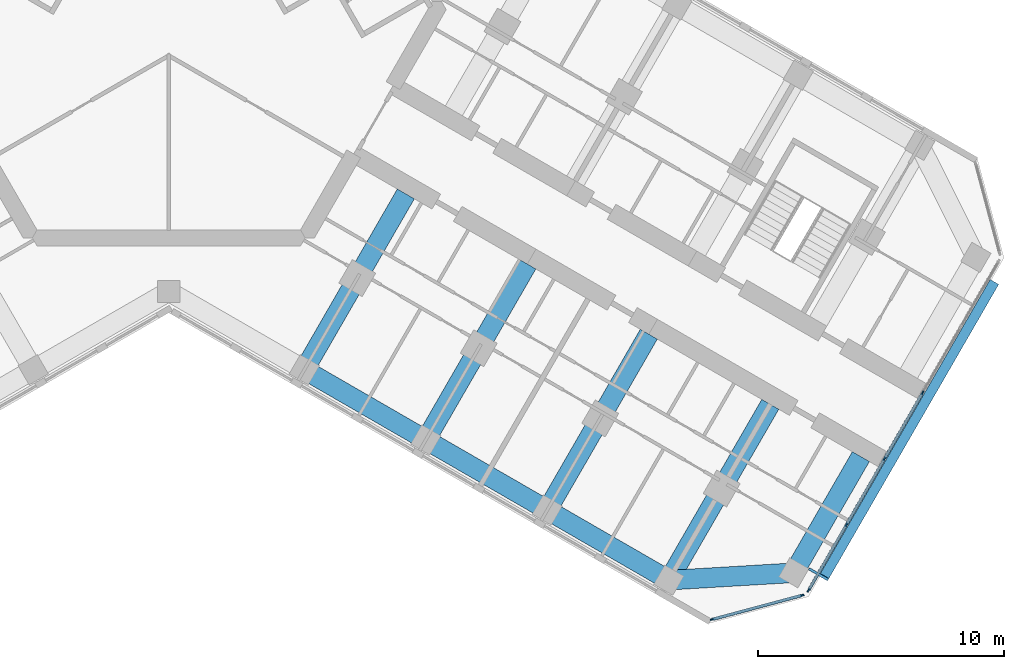
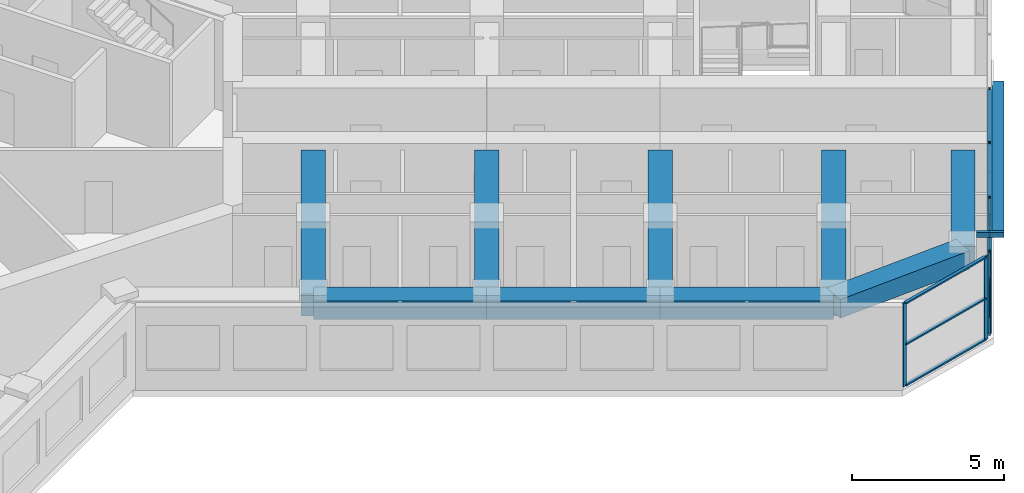
# One storey, part 4 of 16: 17 members, 9 beams, 2 elements without a shape of their own.
"""IFC4 building model written with IfcOpenShell, lengths in metres."""

from ifc_helpers import new_model, si_unit, direction, frame, origin, origin_2d, place, context, subcontext, project, spatial, rectangle, hollow_rectangle, extrude, material, material_profile, profile_set, type_object, element, aggregate, save


model = new_model("IFC4")

# Units and contexts
model_context = context("Model", 3, precision=1e-05, world=origin(), true_north=direction((0.0, 1.0)))
body_context = subcontext(model_context, "Body", "Model", "MODEL_VIEW")
ifc_project = project(units=[si_unit("LENGTHUNIT", "METRE"), si_unit("AREAUNIT", "SQUARE_METRE"), si_unit("VOLUMEUNIT", "CUBIC_METRE"), si_unit("PLANEANGLEUNIT", "RADIAN"), si_unit("MASSUNIT", "GRAM", prefix="KILO")], contexts=[model_context])

# Site, building, storey
site_placement = place(None, origin())
site = spatial("IfcSite", under=ifc_project, at=site_placement, CompositionType="ELEMENT")
building_placement = place(site_placement, origin())
building = spatial("IfcBuilding", under=site, at=building_placement, Name="Kosmar Iwan School Tower", CompositionType="ELEMENT")
storey_placement = place(building_placement, frame((0.0, 0.0, 211.800048828125)))
storey = spatial("IfcBuildingStorey", under=building, at=storey_placement, Name="L53", CompositionType="ELEMENT", Elevation=211.800048828125)

# Members
ifc_material_1 = material(Name="Black anodised aluminium", Category="aluminium")
ifc_material_profile_1 = material_profile(ifc_material_1, rectangle(XDim=0.10009765625, YDim=0.39990234375, at=origin_2d()), Name="FIN 100x400")
ifc_profile_set_1 = profile_set([ifc_material_profile_1], Name="Black anodised aluminium")
member_type_1 = type_object("IfcMemberType", Name="Diagonal fin 100x400", PredefinedType="USERDEFINED", material=ifc_profile_set_1)
member_1_placement = place(storey_placement, frame((33.54345703125, -11.40087890625, -0.150146484375), z_axis=(-0.483793446988, -0.837970316603, 0.25248692866), x_axis=(0.126241714543, 0.218661104574, 0.96760030532)))
element("IfcMember", 1, at=member_1_placement, inside=storey, type_object=member_type_1, Name="Diagonal fin L53-F01", ObjectType="FIN", PredefinedType="USERDEFINED", context=body_context, shape_type="SweptSolid", body=[
    extrude(rectangle(XDim=0.10009765625, YDim=0.39990234375, at=origin_2d()), origin(), (0.0, 0.0, 1.0), 14.258544921875),
])
ifc_material_2 = material(Name="Steel S355", Category="steel")
ifc_material_profile_2 = material_profile(ifc_material_2, hollow_rectangle(XDim=0.10009765625, YDim=0.199951171875, WallThickness=0.008056640625, at=origin_2d()), Name="RHS 200x100x8")
ifc_profile_set_2 = profile_set([ifc_material_profile_2], Name="Steel S355")
member_type_2 = type_object("IfcMemberType", Name="Fin bracket RHS 200x100", PredefinedType="USERDEFINED", material=ifc_profile_set_2)
member_2_placement = place(storey_placement, frame((26.01318359375, -23.0439453125, 3.474853515625), z_axis=(0.866013897511, -0.50001992892, 0.0), x_axis=(0.50001992892, 0.866013897511, 0.0)))
element("IfcMember", 2, at=member_2_placement, inside=storey, type_object=member_type_2, Name="Fin bracket L54", ObjectType="FIN BRACKET", PredefinedType="USERDEFINED", context=body_context, shape_type="SweptSolid", body=[
    extrude(hollow_rectangle(XDim=0.10009765625, YDim=0.199951171875, WallThickness=0.008056640625, at=origin_2d()), origin(), (0.0, 0.0, 1.0), 0.89990234375),
])

# Curtain wall, members
ifc_material_3 = material(Name="Dark glass in black aluminium frame", Category="aluminium")
curtain_wall_type_1 = type_object("IfcCurtainWallType", Name="Chamfer curtain wall dark glass", PredefinedType="USERDEFINED", material=ifc_material_3)
curtain_wall_1_placement = place(storey_placement, origin())
curtain_wall_1 = element("IfcCurtainWall", 3, at=curtain_wall_1_placement, inside=storey, type_object=curtain_wall_type_1, Name="Curtain wall L53-F00", ObjectType="FACETED CURTAIN WALL", PredefinedType="USERDEFINED")
ifc_material_4 = material(Name="Black anodised aluminium", Category="aluminium")
ifc_material_profile_3 = material_profile(ifc_material_4, rectangle(XDim=0.06005859375, YDim=0.159912109375, at=origin_2d()), Name="MULLION 60x160")
ifc_profile_set_3 = profile_set([ifc_material_profile_3], Name="Black anodised aluminium")
member_type_3 = type_object("IfcMemberType", Name="Mullion 60x160", PredefinedType="MULLION", material=ifc_profile_set_3)
member_3_placement = place(storey_placement, frame((22.0830078125, -25.102294921875, 0.0), z_axis=(0.0, 0.0, 1.0), x_axis=(-0.258818861462, 0.965925875495, 0.0)))
member_3 = element("IfcMember", 4, at=member_3_placement, type_object=member_type_3, Name="CW2 mullion 1", PredefinedType="MULLION", context=body_context, shape_type="SweptSolid", body=[
    extrude(rectangle(XDim=0.06005859375, YDim=0.159912109375, at=origin_2d()), origin(), (0.0, 0.0, 1.0), 3.349853515625),
])
member_4_placement = place(storey_placement, frame((25.733154296875, -24.124267578125, 0.0), z_axis=(0.0, 0.0, 1.0), x_axis=(-0.258818861462, 0.965925875495, 0.0)))
member_4 = element("IfcMember", 5, at=member_4_placement, type_object=member_type_3, Name="CW2 mullion 2", PredefinedType="MULLION", context=body_context, shape_type="SweptSolid", body=[
    extrude(rectangle(XDim=0.06005859375, YDim=0.159912109375, at=origin_2d()), origin(), (0.0, 0.0, 1.0), 3.349853515625),
])

ifc_material_5 = material(Name="Dark glass in black aluminium frame", Category="aluminium")
curtain_wall_type_2 = type_object("IfcCurtainWallType", Name="Tower curtain wall dark glass", PredefinedType="USERDEFINED", material=ifc_material_5)
curtain_wall_2_placement = place(storey_placement, origin())
curtain_wall_2 = element("IfcCurtainWall", 6, at=curtain_wall_2_placement, inside=storey, type_object=curtain_wall_type_2, Name="Curtain wall L53-F01", ObjectType="UNITISED CURTAIN WALL", PredefinedType="USERDEFINED")
member_5_placement = place(storey_placement, frame((25.9970703125, -23.921630859375, 0.0), z_axis=(0.0, 0.0, 1.0), x_axis=(-0.866025405329, 0.499999997325, 0.0)))
member_5 = element("IfcMember", 7, at=member_5_placement, type_object=member_type_3, Name="CW1 mullion 1", PredefinedType="MULLION", context=body_context, shape_type="SweptSolid", body=[
    extrude(rectangle(XDim=0.06005859375, YDim=0.159912109375, at=origin_2d()), origin(), (0.0, 0.0, 1.0), 3.349853515625),
])
member_6_placement = place(storey_placement, frame((27.53173828125, -21.263671875, 0.0), z_axis=(0.0, 0.0, 1.0), x_axis=(-0.866025405329, 0.499999997325, 0.0)))
member_6 = element("IfcMember", 8, at=member_6_placement, type_object=member_type_3, Name="CW1 mullion 2", PredefinedType="MULLION", context=body_context, shape_type="SweptSolid", body=[
    extrude(rectangle(XDim=0.06005859375, YDim=0.159912109375, at=origin_2d()), origin(), (0.0, 0.0, 1.0), 3.349853515625),
])
member_7_placement = place(storey_placement, frame((29.081298828125, -18.57958984375, 0.0), z_axis=(0.0, 0.0, 1.0), x_axis=(-0.866025405329, 0.499999997325, 0.0)))
member_7 = element("IfcMember", 9, at=member_7_placement, type_object=member_type_3, Name="CW1 mullion 3", PredefinedType="MULLION", context=body_context, shape_type="SweptSolid", body=[
    extrude(rectangle(XDim=0.06005859375, YDim=0.159912109375, at=origin_2d()), origin(), (0.0, 0.0, 1.0), 3.349853515625),
])
member_8_placement = place(storey_placement, frame((30.631103515625, -15.8955078125, 0.0), z_axis=(0.0, 0.0, 1.0), x_axis=(-0.866025405329, 0.499999997325, 0.0)))
member_8 = element("IfcMember", 10, at=member_8_placement, type_object=member_type_3, Name="CW1 mullion 4", PredefinedType="MULLION", context=body_context, shape_type="SweptSolid", body=[
    extrude(rectangle(XDim=0.06005859375, YDim=0.159912109375, at=origin_2d()), origin(), (0.0, 0.0, 1.0), 3.349853515625),
])

# Beams
ifc_material_6 = material(Name="Concrete C50/60", Category="concrete")
ifc_material_profile_4 = material_profile(ifc_material_6, rectangle(XDim=0.800048828125, YDim=0.75, at=origin_2d()), Name="RC 800x750")
ifc_profile_set_4 = profile_set([ifc_material_profile_4], Name="Concrete C50/60")
beam_type_1 = type_object("IfcBeamType", Name="RC edge beam 800x750", PredefinedType="BEAM", material=ifc_profile_set_4)
beam_1_placement = place(storey_placement, frame((5.5087890625, -14.95849609375, 2.974853515625), z_axis=(0.866033658841, -0.49998570155, 0.0), x_axis=(0.49998570155, 0.866033658841, 0.0)))
element("IfcBeam", 11, at=beam_1_placement, inside=storey, type_object=beam_type_1, Name="Edge beam CR2", PredefinedType="BEAM", context=body_context, shape_type="SweptSolid", body=[
    extrude(rectangle(XDim=0.800048828125, YDim=0.75, at=origin_2d()), origin(), (0.0, 0.0, 1.0), 5.699951171875),
])
beam_2_placement = place(storey_placement, frame((10.445068359375, -17.808349609375, 2.974853515625), z_axis=(0.866025820012, -0.499999279071, 0.0), x_axis=(0.499999279071, 0.866025820012, 0.0)))
element("IfcBeam", 12, at=beam_2_placement, inside=storey, type_object=beam_type_1, Name="Edge beam CR3", PredefinedType="BEAM", context=body_context, shape_type="SweptSolid", body=[
    extrude(rectangle(XDim=0.800048828125, YDim=0.75, at=origin_2d()), origin(), (0.0, 0.0, 1.0), 5.7001953125),
])
beam_3_placement = place(storey_placement, frame((15.381591796875, -20.658447265625, 2.974853515625), z_axis=(0.866015111908, -0.50001782563, 0.0), x_axis=(0.50001782563, 0.866015111908, 0.0)))
element("IfcBeam", 13, at=beam_3_placement, inside=storey, type_object=beam_type_1, Name="Edge beam CR4", PredefinedType="BEAM", context=body_context, shape_type="SweptSolid", body=[
    extrude(rectangle(XDim=0.800048828125, YDim=0.75, at=origin_2d()), origin(), (0.0, 0.0, 1.0), 5.699951171875),
])
ifc_material_7 = material(Name="Concrete C50/60", Category="concrete")
ifc_material_profile_5 = material_profile(ifc_material_7, rectangle(XDim=0.800048828125, YDim=0.75, at=origin_2d()), Name="RC 800x750")
ifc_profile_set_5 = profile_set([ifc_material_profile_5], Name="Concrete C50/60")
beam_type_2 = type_object("IfcBeamType", Name="RC tip beam 800x750", PredefinedType="BEAM", material=ifc_profile_set_5)
beam_4_placement = place(storey_placement, frame((20.31787109375, -23.508544921875, 2.974853515625), z_axis=(0.998260616478, 0.058955420358, 0.0), x_axis=(-0.058955420358, 0.998260616478, 0.0)))
element("IfcBeam", 14, at=beam_4_placement, inside=storey, type_object=beam_type_2, Name="Tip beam CR", PredefinedType="BEAM", context=body_context, shape_type="SweptSolid", body=[
    extrude(rectangle(XDim=0.800048828125, YDim=0.75, at=origin_2d()), origin(), (0.0, 0.0, 1.0), 5.08935546875),
])
beam_5_placement = place(storey_placement, frame((25.3984375, -23.20849609375, 2.974853515625), z_axis=(0.500022328685, 0.866012511928, 0.0), x_axis=(-0.866012511928, 0.500022328685, 0.0)))
element("IfcBeam", 15, at=beam_5_placement, inside=storey, type_object=beam_type_2, Name="Tip beam CR to corridor wall", PredefinedType="BEAM", context=body_context, shape_type="SweptSolid", body=[
    extrude(rectangle(XDim=0.800048828125, YDim=0.75, at=origin_2d()), origin(), (0.0, 0.0, 1.0), 5.449951171875),
])
ifc_material_8 = material(Name="Concrete C50/60", Category="concrete")
ifc_material_profile_6 = material_profile(ifc_material_8, rectangle(XDim=0.800048828125, YDim=0.89990234375, at=origin_2d()), Name="RC 800x900")
ifc_profile_set_6 = profile_set([ifc_material_profile_6], Name="Concrete C50/60")
beam_type_3 = type_object("IfcBeamType", Name="RC transverse beam 800x900", PredefinedType="BEAM", material=ifc_profile_set_6)
beam_6_placement = place(storey_placement, frame((5.5087890625, -14.95849609375, 2.89990234375), z_axis=(0.499996545922, 0.866027397988, 0.0), x_axis=(-0.866027397988, 0.499996545922, 0.0)))
element("IfcBeam", 16, at=beam_6_placement, inside=storey, type_object=beam_type_3, Name="Transverse beam CR1", PredefinedType="BEAM", context=body_context, shape_type="SweptSolid", body=[
    extrude(rectangle(XDim=0.800048828125, YDim=0.89990234375, at=origin_2d()), origin(), (0.0, 0.0, 1.0), 8.25),
])
beam_7_placement = place(storey_placement, frame((10.445068359375, -17.808349609375, 2.89990234375), z_axis=(0.500009360108, 0.866019999656, 0.0), x_axis=(-0.866019999656, 0.500009360108, 0.0)))
element("IfcBeam", 17, at=beam_7_placement, inside=storey, type_object=beam_type_3, Name="Transverse beam CR2", PredefinedType="BEAM", context=body_context, shape_type="SweptSolid", body=[
    extrude(rectangle(XDim=0.800048828125, YDim=0.89990234375, at=origin_2d()), origin(), (0.0, 0.0, 1.0), 8.249755859375),
])
for number, where, z_axis, x_axis, name in (
    (18, (15.381591796875, -20.658447265625, 2.89990234375), (0.499996545922, 0.866027397988, 0.0), (-0.866027397988, 0.499996545922, 0.0), "Transverse beam CR3"),
    (19, (20.31787109375, -23.508544921875, 2.89990234375), (0.499996545922, 0.866027397988, 0.0), (-0.866027397988, 0.499996545922, 0.0), "Transverse beam CR4"),
):
    element("IfcBeam", number, at=place(storey_placement, frame(where, z_axis=z_axis, x_axis=x_axis)), inside=storey, type_object=beam_type_3, Name=name, PredefinedType="BEAM", context=body_context, shape_type="SweptSolid", body=[
        extrude(rectangle(XDim=0.800048828125, YDim=0.89990234375, at=origin_2d()), origin(), (0.0, 0.0, 1.0), 8.25),
    ])

# Member
ifc_material_9 = material(Name="Black anodised aluminium", Category="aluminium")
ifc_material_profile_7 = material_profile(ifc_material_9, rectangle(XDim=0.1201171875, YDim=0.06005859375, at=origin_2d()), Name="TRANSOM 60x120")
ifc_profile_set_7 = profile_set([ifc_material_profile_7], Name="Black anodised aluminium")
member_type_4 = type_object("IfcMemberType", Name="Transom 60x120", PredefinedType="USERDEFINED", material=ifc_profile_set_7)
member_9_placement = place(storey_placement, frame((22.11181640625, -25.094482421875, 0.030029296875), z_axis=(0.965923731726, 0.258826861991, 0.0), x_axis=(-0.258826861991, 0.965923731726, 0.0)))
member_9 = element("IfcMember", 20, at=member_9_placement, type_object=member_type_4, Name="CW2 transom 1.1", ObjectType="TRANSOM", PredefinedType="USERDEFINED", context=body_context, shape_type="SweptSolid", body=[
    extrude(rectangle(XDim=0.1201171875, YDim=0.06005859375, at=origin_2d()), origin(), (0.0, 0.0, 1.0), 3.71923828125),
])

member_10_placement = place(storey_placement, frame((22.11181640625, -25.094482421875, 1.675048828125), z_axis=(0.965923731726, 0.258826861991, 0.0), x_axis=(-0.258826861991, 0.965923731726, 0.0)))
member_10 = element("IfcMember", 21, at=member_10_placement, type_object=member_type_4, Name="CW2 transom 1.2", ObjectType="TRANSOM", PredefinedType="USERDEFINED", context=body_context, shape_type="SweptSolid", body=[
    extrude(rectangle(XDim=0.1201171875, YDim=0.06005859375, at=origin_2d()), origin(), (0.0, 0.0, 1.0), 3.71923828125),
])

member_11_placement = place(storey_placement, frame((22.11181640625, -25.094482421875, 3.320068359375), z_axis=(0.965923731726, 0.258826861991, 0.0), x_axis=(-0.258826861991, 0.965923731726, 0.0)))
member_11 = element("IfcMember", 22, at=member_11_placement, type_object=member_type_4, Name="CW2 transom 1.3", ObjectType="TRANSOM", PredefinedType="USERDEFINED", context=body_context, shape_type="SweptSolid", body=[
    extrude(rectangle(XDim=0.1201171875, YDim=0.06005859375, at=origin_2d()), origin(), (0.0, 0.0, 1.0), 3.71923828125),
])

aggregate(curtain_wall_1, [member_3, member_4, member_9, member_10, member_11])

member_12_placement = place(storey_placement, frame((26.01220703125, -23.895751953125, 0.030029296875), z_axis=(0.499986971506, 0.866032925658, 0.0), x_axis=(-0.866032925658, 0.499986971506, 0.0)))
member_12 = element("IfcMember", 23, at=member_12_placement, type_object=member_type_4, Name="CW1 transom 1.1", ObjectType="TRANSOM", PredefinedType="USERDEFINED", context=body_context, shape_type="SweptSolid", body=[
    extrude(rectangle(XDim=0.1201171875, YDim=0.06005859375, at=origin_2d()), origin(), (0.0, 0.0, 1.0), 3.00927734375),
])

member_13_placement = place(storey_placement, frame((26.01220703125, -23.895751953125, 3.320068359375), z_axis=(0.499986971506, 0.866032925658, 0.0), x_axis=(-0.866032925658, 0.499986971506, 0.0)))
member_13 = element("IfcMember", 24, at=member_13_placement, type_object=member_type_4, Name="CW1 transom 1.2", ObjectType="TRANSOM", PredefinedType="USERDEFINED", context=body_context, shape_type="SweptSolid", body=[
    extrude(rectangle(XDim=0.1201171875, YDim=0.06005859375, at=origin_2d()), origin(), (0.0, 0.0, 1.0), 3.00927734375),
])

member_14_placement = place(storey_placement, frame((27.546875, -21.237548828125, 0.030029296875), z_axis=(0.499975102327, 0.866039777986, 0.0), x_axis=(-0.866039777986, 0.499975102327, 0.0)))
member_14 = element("IfcMember", 25, at=member_14_placement, type_object=member_type_4, Name="CW1 transom 2.1", ObjectType="TRANSOM", PredefinedType="USERDEFINED", context=body_context, shape_type="SweptSolid", body=[
    extrude(rectangle(XDim=0.1201171875, YDim=0.06005859375, at=origin_2d()), origin(), (0.0, 0.0, 1.0), 3.039306640625),
])

member_15_placement = place(storey_placement, frame((27.546875, -21.237548828125, 3.320068359375), z_axis=(0.499975102327, 0.866039777986, 0.0), x_axis=(-0.866039777986, 0.499975102327, 0.0)))
member_15 = element("IfcMember", 26, at=member_15_placement, type_object=member_type_4, Name="CW1 transom 2.2", ObjectType="TRANSOM", PredefinedType="USERDEFINED", context=body_context, shape_type="SweptSolid", body=[
    extrude(rectangle(XDim=0.1201171875, YDim=0.06005859375, at=origin_2d()), origin(), (0.0, 0.0, 1.0), 3.039306640625),
])

member_16_placement = place(storey_placement, frame((29.096435546875, -18.553466796875, 0.030029296875), z_axis=(0.499975102327, 0.866039777986, 0.0), x_axis=(-0.866039777986, 0.499975102327, 0.0)))
member_16 = element("IfcMember", 27, at=member_16_placement, type_object=member_type_4, Name="CW1 transom 3.1", ObjectType="TRANSOM", PredefinedType="USERDEFINED", context=body_context, shape_type="SweptSolid", body=[
    extrude(rectangle(XDim=0.1201171875, YDim=0.06005859375, at=origin_2d()), origin(), (0.0, 0.0, 1.0), 3.039306640625),
])

member_17_placement = place(storey_placement, frame((29.096435546875, -18.553466796875, 3.320068359375), z_axis=(0.499975102327, 0.866039777986, 0.0), x_axis=(-0.866039777986, 0.499975102327, 0.0)))
member_17 = element("IfcMember", 28, at=member_17_placement, type_object=member_type_4, Name="CW1 transom 3.2", ObjectType="TRANSOM", PredefinedType="USERDEFINED", context=body_context, shape_type="SweptSolid", body=[
    extrude(rectangle(XDim=0.1201171875, YDim=0.06005859375, at=origin_2d()), origin(), (0.0, 0.0, 1.0), 3.039306640625),
])

aggregate(curtain_wall_2, [member_5, member_6, member_7, member_8, member_12, member_13, member_14, member_15, member_16, member_17])

save(model, "model.ifc")
